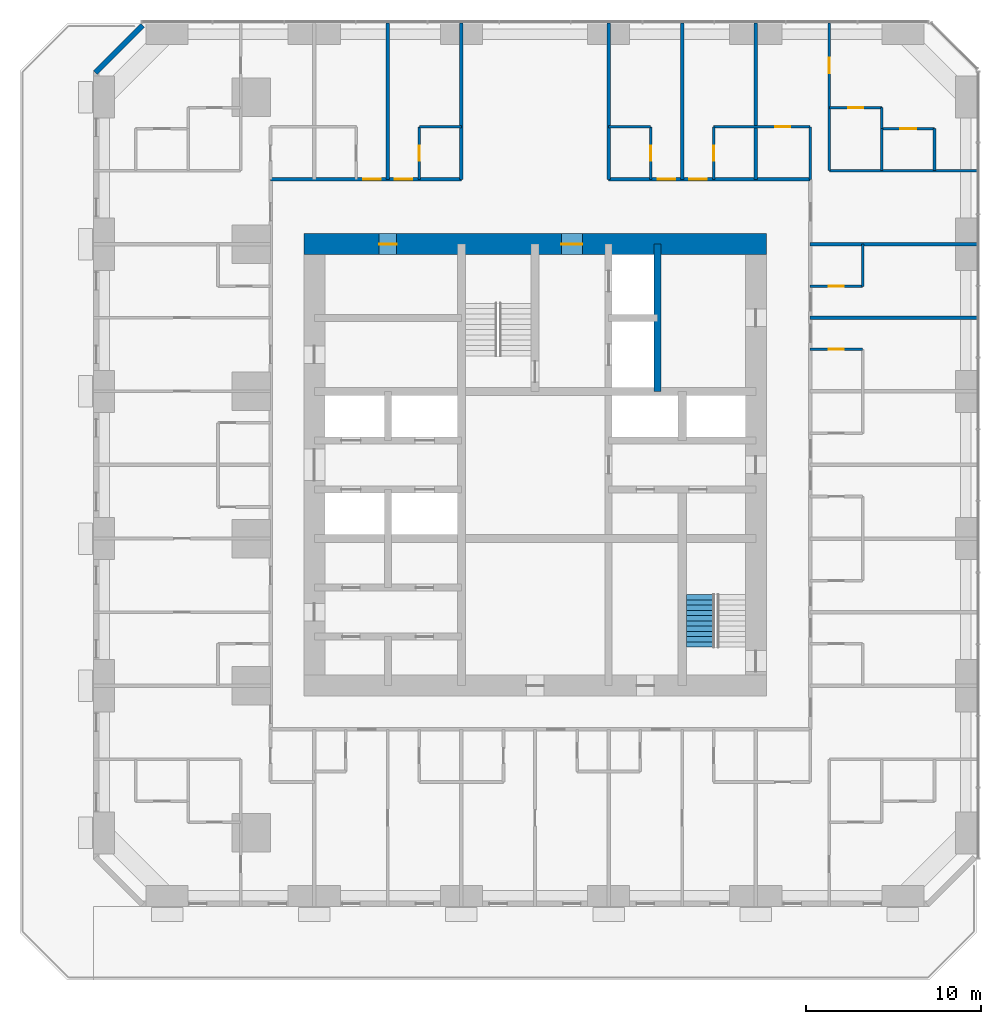
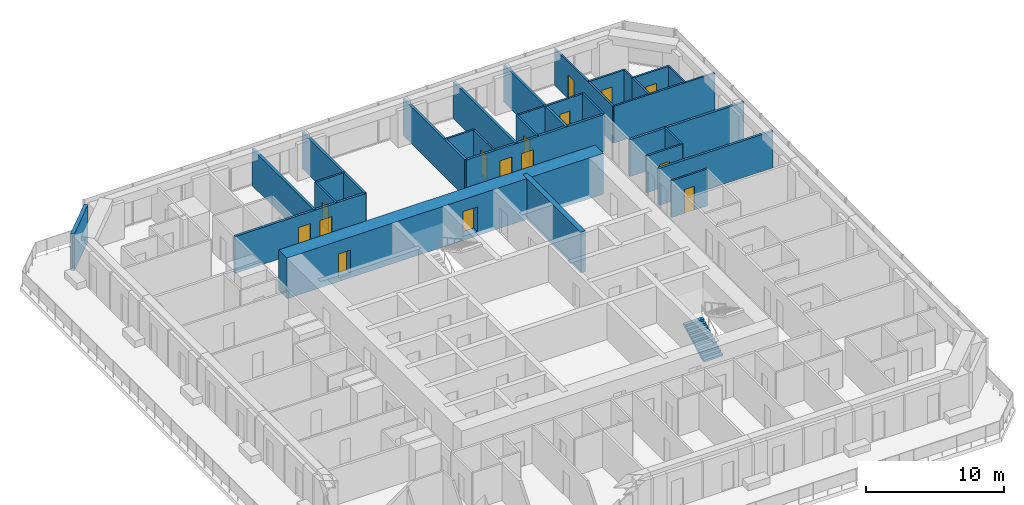
# One storey, part 11 of 14: 29 walls, 15 doors, 1 stair flight, 15 openings, 1 element without a shape of its own.
"""IFC4 building model written with IfcOpenShell, lengths in metres."""

import ifcopenshell
import ifcopenshell.guid

model = None  # the IFC model being written
_history = None  # IfcOwnerHistory: only IFC2X3 demands one
_inside = {}  # id of a spatial element -> (the spatial element, [elements in it])
_under = {}  # id of a project, library or spatial element -> (it, [spatial elements below it])
_declared = {}  # id of a project -> (the project, [libraries it declares])
_typed = {}  # id of a type object -> (the type object, [elements of that type])
_made_of = {}  # id of a material, layer set ... -> (it, [elements and type objects made of it])


def new_model(schema):
    """Start an empty IFC model of exactly this schema.

    Asked for "IFC4X3", IfcOpenShell would pick the latest addendum, in which some entities
    have other attributes; the version numbers below select the first issue.
    IFC2X3 requires an IfcOwnerHistory on every rooted entity: one is made here for all.
    """
    global model, _history
    if schema == "IFC4X3":
        model = ifcopenshell.file(schema_version=(4, 3, 0, 0))
    else:
        model = ifcopenshell.file(schema=schema)
    _inside.clear()
    _under.clear()
    _declared.clear()
    _typed.clear()
    _made_of.clear()
    _history = None
    if model.schema == "IFC2X3":
        org = make("IfcOrganization", Name="unknown")
        user = make(
            "IfcPersonAndOrganization",
            ThePerson=make("IfcPerson", FamilyName="unknown"),
            TheOrganization=org,
        )
        app = make(
            "IfcApplication",
            ApplicationDeveloper=org,
            Version="unknown",
            ApplicationFullName="unknown",
            ApplicationIdentifier="unknown",
        )
        _history = make(
            "IfcOwnerHistory",
            OwningUser=user,
            OwningApplication=app,
            ChangeAction="ADDED",
            CreationDate=0,
        )
    return model


def make(cls, **values):
    """One entity of the class cls with the attributes given. An attribute that is None is left unset."""
    return model.create_entity(
        cls, **{name: value for name, value in values.items() if value is not None}
    )


def rooted(cls, **values):
    """An entity with a GlobalId (a new one), such as an element, a storey or a relation."""
    return make(cls, GlobalId=ifcopenshell.guid.new(), OwnerHistory=_history, **values)


def si_unit(unit_type, name, prefix=None):
    """IfcSIUnit, for example si_unit("LENGTHUNIT", "METRE", prefix="MILLI")."""
    return make("IfcSIUnit", UnitType=unit_type, Prefix=prefix, Name=name)


def assignment(units):
    """IfcUnitAssignment: the units of a project."""
    return None if units is None else make("IfcUnitAssignment", Units=units)


def point(xyz):
    """IfcCartesianPoint."""
    return None if xyz is None else make("IfcCartesianPoint", Coordinates=xyz)


def direction(xyz):
    """IfcDirection."""
    return None if xyz is None else make("IfcDirection", DirectionRatios=xyz)


def frame(location, z_axis=None, x_axis=None):
    """IfcAxis2Placement3D, a coordinate frame: its origin and axes. An axis left out is left unset."""
    return make(
        "IfcAxis2Placement3D",
        Location=point(location),
        Axis=direction(z_axis),
        RefDirection=direction(x_axis),
    )


def frame_2d(location, x_axis=None):
    """IfcAxis2Placement2D, a coordinate frame in the plane: its origin and x axis."""
    return make(
        "IfcAxis2Placement2D", Location=point(location), RefDirection=direction(x_axis)
    )


def origin():
    """The frame at (0, 0, 0) with its axes left unset."""
    return frame((0.0, 0.0, 0.0))


def place(relative_to, where):
    """IfcLocalPlacement: puts the frame where relative to a parent placement (None: the world)."""
    return make(
        "IfcLocalPlacement", PlacementRelTo=relative_to, RelativePlacement=where
    )


def context(
    kind, dimensions, precision=None, world=None, true_north=None, identifier=None
):
    """IfcGeometricRepresentationContext, for example the 3D "Model" context."""
    return make(
        "IfcGeometricRepresentationContext",
        ContextIdentifier=identifier,
        ContextType=kind,
        CoordinateSpaceDimension=dimensions,
        Precision=precision,
        WorldCoordinateSystem=world,
        TrueNorth=true_north,
    )


def subcontext(parent, identifier, kind, view, scale=None):
    """IfcGeometricRepresentationSubContext, for example "Body" below "Model"."""
    return make(
        "IfcGeometricRepresentationSubContext",
        ContextIdentifier=identifier,
        ContextType=kind,
        ParentContext=parent,
        TargetScale=scale,
        TargetView=view,
    )


def project(units=None, contexts=None):
    """IfcProject with its units and contexts."""
    return rooted(
        "IfcProject",
        Name="project",
        RepresentationContexts=contexts,
        UnitsInContext=assignment(units),
    )


def spatial(cls, under=None, at=None, **own):
    """A site, building, storey or space (cls), placed at a placement, below another one or the project."""
    s = rooted(cls, ObjectPlacement=at, **own)
    if under is not None:
        _under.setdefault(under.id(), (under, []))[1].append(s)
    return s


def polyline(points):
    """IfcPolyline through the points."""
    return make("IfcPolyline", Points=[point(p) for p in points])


def profile(cls, at=None, kind="AREA", **sizes):
    """A parametric profile (cls). Its sizes go by their IFC names, for example OverallWidth=200.0."""
    return make(cls, ProfileType=kind, Position=at, **sizes)


def rectangle(**sizes):
    """IfcRectangleProfileDef."""
    return profile("IfcRectangleProfileDef", **sizes)


def outline(outer, holes=None, kind="AREA"):
    """IfcArbitraryClosedProfileDef: a profile drawn as a closed curve; with holes, ...WithVoids."""
    if holes is None:
        return make("IfcArbitraryClosedProfileDef", ProfileType=kind, OuterCurve=outer)
    return make(
        "IfcArbitraryProfileDefWithVoids",
        ProfileType=kind,
        OuterCurve=outer,
        InnerCurves=holes,
    )


def extrude(swept, where, along, depth):
    """IfcExtrudedAreaSolid: the profile swept, set in the frame where, extruded along a direction by depth."""
    return make(
        "IfcExtrudedAreaSolid",
        SweptArea=swept,
        Position=where,
        ExtrudedDirection=direction(along),
        Depth=depth,
    )


def shape(context_of_items, identifier, shape_type, items):
    """IfcShapeRepresentation: the items that make up one representation, for example the "Body"."""
    return make(
        "IfcShapeRepresentation",
        ContextOfItems=context_of_items,
        RepresentationIdentifier=identifier,
        RepresentationType=shape_type,
        Items=items,
    )


def material(Name=None, Category=None):
    """IfcMaterial."""
    return make("IfcMaterial", Name=Name, Category=Category)


def layer(
    of_material, thickness, ventilated=None, Name=None, Category=None, Priority=None
):
    """IfcMaterialLayer: one layer of a wall or slab, of a material (None: an air gap)."""
    return make(
        "IfcMaterialLayer",
        Material=of_material,
        LayerThickness=thickness,
        IsVentilated=ventilated,
        Name=Name,
        Category=Category,
        Priority=Priority,
    )


def layer_set(layers, Name=None):
    """IfcMaterialLayerSet."""
    return make("IfcMaterialLayerSet", MaterialLayers=layers, LayerSetName=Name)


def made_of(thing, what):
    """Note that an element or type object is made of a material, layer set ...; save() writes the relation."""
    if what is not None:
        _made_of.setdefault(what.id(), (what, []))[1].append(thing)
    return thing


def type_object(cls, material=None, **own):
    """A type object (cls), such as IfcWallType, which elements share."""
    return made_of(rooted(cls, **own), material)


def element(
    cls,
    number,
    at=None,
    inside=None,
    cuts=None,
    type_object=None,
    material=None,
    context=None,
    identifier="Body",
    shape_type=None,
    held_by="IfcProductDefinitionShape",
    body=None,
    shapes=None,
    **own,
):
    """One element of the class cls, such as IfcWall. Its Tag is "e" and its number.

    at: its placement. inside: the storey or other place that contains it. cuts: it is an
    opening in that element (IfcRelVoidsElement). A single representation is given by context,
    identifier, shape_type and body (its items); several are given by shapes. held_by: the class
    of the entity that holds the representations. save() writes the other relations.
    """
    e = rooted(cls, Tag="e%d" % number, ObjectPlacement=at, **own)
    if body is not None:
        shapes = [shape(context, identifier, shape_type, body)]
    if shapes is not None:
        e.Representation = make(held_by, Representations=shapes)
    if inside is not None:
        _inside.setdefault(inside.id(), (inside, []))[1].append(e)
    if cuts is not None:
        rooted(
            "IfcRelVoidsElement", RelatingBuildingElement=cuts, RelatedOpeningElement=e
        )
    if type_object is not None:
        _typed.setdefault(type_object.id(), (type_object, []))[1].append(e)
    return made_of(e, material)


def fill(opening, filler):
    """IfcRelFillsElement: the door or window that sits in an opening."""
    return rooted(
        "IfcRelFillsElement",
        RelatingOpeningElement=opening,
        RelatedBuildingElement=filler,
    )


def aggregate(whole, parts):
    """IfcRelAggregates: a whole, such as a stair, and the parts it consists of."""
    return rooted("IfcRelAggregates", RelatingObject=whole, RelatedObjects=parts)


def save(model, path):
    """Write the relations noted so far, then the file.

    IfcRelAggregates (storeys below a building ...), IfcRelContainedInSpatialStructure (elements
    in a storey), IfcRelDefinesByType, IfcRelAssociatesMaterial and IfcRelDeclares: one each for
    every whole, place, type object, material and project.
    """
    for whole, parts in _under.values():
        aggregate(whole, parts)
    for where, things in _inside.values():
        rooted(
            "IfcRelContainedInSpatialStructure",
            RelatedElements=things,
            RelatingStructure=where,
        )
    for kind, things in _typed.values():
        rooted("IfcRelDefinesByType", RelatedObjects=things, RelatingType=kind)
    for what, things in _made_of.values():
        rooted("IfcRelAssociatesMaterial", RelatedObjects=things, RelatingMaterial=what)
    for by, libraries in _declared.values():
        rooted("IfcRelDeclares", RelatingContext=by, RelatedDefinitions=libraries)
    model.write(path)


model = new_model("IFC4")

# Units and contexts
model_context = context("Model", 3, precision=1e-05, world=origin(), true_north=direction((0.0, 1.0)))
body_context = subcontext(model_context, "Body", "Model", "MODEL_VIEW")
ifc_project = project(units=[si_unit("LENGTHUNIT", "METRE"), si_unit("AREAUNIT", "SQUARE_METRE"), si_unit("VOLUMEUNIT", "CUBIC_METRE"), si_unit("PLANEANGLEUNIT", "RADIAN"), si_unit("MASSUNIT", "GRAM", prefix="KILO")], contexts=[model_context])

# Site, building, storey
site_placement = place(None, origin())
site = spatial("IfcSite", under=ifc_project, at=site_placement, CompositionType="ELEMENT")
building_placement = place(site_placement, origin())
building = spatial("IfcBuilding", under=site, at=building_placement, Name="Dunama Terrace Hotel", CompositionType="ELEMENT")
storey_placement = place(building_placement, frame((0.0, 0.0, 159.0)))
storey = spatial("IfcBuildingStorey", under=building, at=storey_placement, Name="L40", CompositionType="ELEMENT", Elevation=159.0)

# Wall, opening, door
ifc_material_1 = material(Name="Gypsum board partition", Category="masonry")
ifc_layer_1 = layer(ifc_material_1, 0.14990234375)
ifc_layer_set_1 = layer_set([ifc_layer_1], Name="Bathroom partition 150")
wall_type_1 = type_object("IfcWallType", Name="Bathroom partition 150", PredefinedType="PARTITIONING", material=ifc_layer_set_1)
wall_1_placement = place(storey_placement, frame((22.800048828125, 45.699951171875, 0.0), z_axis=(0.0, 0.0, 1.0), x_axis=(0.0, 1.0, 0.0)))
wall_1 = element("IfcWall", 1, at=wall_1_placement, inside=storey, type_object=wall_type_1, Name="Bathroom partition 150 L40", PredefinedType="PARTITIONING", context=body_context, shape_type="SweptSolid", body=[
    extrude(rectangle(XDim=3.0, YDim=0.14990234375, at=frame_2d((1.5, 0.0))), origin(), (0.0, 0.0, 1.0), 3.25),
])
opening_1_placement = place(wall_1_placement, frame((1.074951171875, 0.0, 0.0)))
opening_1 = element("IfcOpeningElement", 2, at=opening_1_placement, cuts=wall_1, Name="Opening L40-056", PredefinedType="OPENING", context=body_context, shape_type="SweptSolid", body=[
    extrude(rectangle(XDim=0.85009765625, YDim=2.10009765625, at=frame_2d((0.425048828125, 1.050048828125))), frame((0.0, 0.0849609375, 0.0), z_axis=(0.0, -1.0, 0.0), x_axis=(1.0, 0.0, 0.0)), (0.0, 0.0, 1.0), 0.169921875),
])
ifc_material_2 = material(Name="Timber door with steel frame", Category="steel")
door_type_1 = type_object("IfcDoorType", Name="Bathroom door 850", OperationType="SINGLE_SWING_LEFT", PredefinedType="DOOR", material=ifc_material_2)
door_1_placement = place(opening_1_placement, frame((0.85009765625, 0.0, 0.0), z_axis=(0.0, 0.0, 1.0), x_axis=(-1.0, 0.0, 0.0)))
door_1 = element("IfcDoor", 3, at=door_1_placement, inside=storey, type_object=door_type_1, Name="Door to en-suite bathroom L40-056, type D2", OperationType="SINGLE_SWING_RIGHT", OverallHeight=2.10009765625, OverallWidth=0.85009765625, PredefinedType="DOOR", context=body_context, shape_type="SweptSolid", body=[
    extrude(rectangle(XDim=0.85009765625, YDim=2.10009765625, at=frame_2d((0.425048828125, 1.050048828125))), frame((0.0, 0.025146484375, 0.0), z_axis=(0.0, -1.0, 0.0), x_axis=(1.0, 0.0, 0.0)), (0.0, 0.0, 1.0), 0.050048828125),
])
fill(opening_1, door_1)

wall_2_placement = place(storey_placement, frame((36.0, 45.699951171875, 0.0), z_axis=(0.0, 0.0, 1.0), x_axis=(0.0, 1.0, 0.0)))
wall_2 = element("IfcWall", 4, at=wall_2_placement, inside=storey, type_object=wall_type_1, Name="Bathroom partition 150 L40", PredefinedType="PARTITIONING", context=body_context, shape_type="SweptSolid", body=[
    extrude(rectangle(XDim=3.0, YDim=0.14990234375, at=frame_2d((1.5, 0.0))), origin(), (0.0, 0.0, 1.0), 3.25),
])
opening_2_placement = place(wall_2_placement, frame((1.074951171875, 0.0, 0.0)))
opening_2 = element("IfcOpeningElement", 5, at=opening_2_placement, cuts=wall_2, Name="Opening L40-058", PredefinedType="OPENING", context=body_context, shape_type="SweptSolid", body=[
    extrude(rectangle(XDim=0.85009765625, YDim=2.10009765625, at=frame_2d((0.425048828125, 1.050048828125))), frame((0.0, 0.0849609375, 0.0), z_axis=(0.0, -1.0, 0.0), x_axis=(1.0, 0.0, 0.0)), (0.0, 0.0, 1.0), 0.169921875),
])
door_2_placement = place(opening_2_placement, origin())
door_2 = element("IfcDoor", 6, at=door_2_placement, inside=storey, type_object=door_type_1, Name="Door to en-suite bathroom L40-058, type D2", OperationType="SINGLE_SWING_LEFT", OverallHeight=2.10009765625, OverallWidth=0.85009765625, PredefinedType="DOOR", context=body_context, shape_type="SweptSolid", body=[
    extrude(rectangle(XDim=0.85009765625, YDim=2.10009765625, at=frame_2d((0.425048828125, 1.050048828125))), frame((0.0, 0.02490234375, 0.0), z_axis=(0.0, -1.0, 0.0), x_axis=(1.0, 0.0, 0.0)), (0.0, 0.0, 1.0), 0.050048828125),
])
fill(opening_2, door_2)

wall_3_placement = place(storey_placement, frame((39.60009765625, 45.699951171875, 0.0), z_axis=(0.0, 0.0, 1.0), x_axis=(0.0, 1.0, 0.0)))
wall_3 = element("IfcWall", 7, at=wall_3_placement, inside=storey, type_object=wall_type_1, Name="Bathroom partition 150 L40", PredefinedType="PARTITIONING", context=body_context, shape_type="SweptSolid", body=[
    extrude(rectangle(XDim=3.0, YDim=0.14990234375, at=frame_2d((1.5, 0.0))), origin(), (0.0, 0.0, 1.0), 3.25),
])
opening_3_placement = place(wall_3_placement, frame((1.074951171875, 0.0, 0.0)))
opening_3 = element("IfcOpeningElement", 8, at=opening_3_placement, cuts=wall_3, Name="Opening L40-060", PredefinedType="OPENING", context=body_context, shape_type="SweptSolid", body=[
    extrude(rectangle(XDim=0.85009765625, YDim=2.10009765625, at=frame_2d((0.425048828125, 1.050048828125))), frame((0.0, 0.0849609375, 0.0), z_axis=(0.0, -1.0, 0.0), x_axis=(1.0, 0.0, 0.0)), (0.0, 0.0, 1.0), 0.169921875),
])
door_3_placement = place(opening_3_placement, frame((0.85009765625, 0.0, 0.0), z_axis=(0.0, 0.0, 1.0), x_axis=(-1.0, 0.0, 0.0)))
door_3 = element("IfcDoor", 9, at=door_3_placement, inside=storey, type_object=door_type_1, Name="Door to en-suite bathroom L40-060, type D2", OperationType="SINGLE_SWING_RIGHT", OverallHeight=2.10009765625, OverallWidth=0.85009765625, PredefinedType="DOOR", context=body_context, shape_type="SweptSolid", body=[
    extrude(rectangle(XDim=0.85009765625, YDim=2.10009765625, at=frame_2d((0.425048828125, 1.050048828125))), frame((0.0, 0.025146484375, 0.0), z_axis=(0.0, -1.0, 0.0), x_axis=(1.0, 0.0, 0.0)), (0.0, 0.0, 1.0), 0.050048828125),
])
fill(opening_3, door_3)

# Walls
wall_4_placement = place(storey_placement, frame((45.10009765625, 45.699951171875, 0.0), z_axis=(0.0, 0.0, 1.0), x_axis=(0.0, 1.0, 0.0)))
element("IfcWall", 10, at=wall_4_placement, inside=storey, type_object=wall_type_1, Name="Bathroom partition 150 L40", PredefinedType="PARTITIONING", context=body_context, shape_type="SweptSolid", body=[
    extrude(rectangle(XDim=3.0, YDim=0.14990234375, at=frame_2d((1.5, 0.0))), origin(), (0.0, 0.0, 1.0), 3.25),
])
wall_5_placement = place(storey_placement, frame((48.10009765625, 39.60009765625, 0.0), z_axis=(0.0, 0.0, 1.0), x_axis=(0.0, 1.0, 0.0)))
element("IfcWall", 11, at=wall_5_placement, inside=storey, type_object=wall_type_1, Name="Bathroom partition 150 L40", PredefinedType="PARTITIONING", context=body_context, shape_type="SweptSolid", body=[
    extrude(rectangle(XDim=2.39990234375, YDim=0.14990234375, at=frame_2d((1.199951171875, 0.0))), origin(), (0.0, 0.0, 1.0), 3.25),
])
wall_6_placement = place(storey_placement, frame((49.199951171875, 48.60009765625, 0.0), z_axis=(0.0, 0.0, 1.0), x_axis=(0.0, 1.0, 0.0)))
element("IfcWall", 12, at=wall_6_placement, inside=storey, type_object=wall_type_1, Name="Bathroom partition 150 L40", PredefinedType="PARTITIONING", context=body_context, shape_type="SweptSolid", body=[
    extrude(rectangle(XDim=1.199951171875, YDim=0.14990234375, at=frame_2d((0.60009765625, 0.0))), origin(), (0.0, 0.0, 1.0), 3.25),
])

# Wall, opening, door
wall_7_placement = place(storey_placement, frame((45.10009765625, 36.0, 0.0), z_axis=(0.0, 0.0, 1.0), x_axis=(1.0, 0.0, 0.0)))
wall_7 = element("IfcWall", 13, at=wall_7_placement, inside=storey, type_object=wall_type_1, Name="Bathroom partition 150 L40", PredefinedType="PARTITIONING", context=body_context, shape_type="SweptSolid", body=[
    extrude(rectangle(XDim=3.0, YDim=0.14990234375, at=frame_2d((1.5, 0.0))), origin(), (0.0, 0.0, 1.0), 3.25),
])
opening_4_placement = place(wall_7_placement, frame((1.074951171875, 0.0, 0.0)))
opening_4 = element("IfcOpeningElement", 14, at=opening_4_placement, cuts=wall_7, Name="Opening L40-050", PredefinedType="OPENING", context=body_context, shape_type="SweptSolid", body=[
    extrude(rectangle(XDim=0.85009765625, YDim=2.10009765625, at=frame_2d((0.425048828125, 1.050048828125))), frame((0.0, 0.0849609375, 0.0), z_axis=(0.0, -1.0, 0.0), x_axis=(1.0, 0.0, 0.0)), (0.0, 0.0, 1.0), 0.169921875),
])
door_4_placement = place(opening_4_placement, frame((0.85009765625, 0.0, 0.0), z_axis=(0.0, 0.0, 1.0), x_axis=(-1.0, 0.0, 0.0)))
door_4 = element("IfcDoor", 15, at=door_4_placement, inside=storey, type_object=door_type_1, Name="Door to en-suite bathroom L40-050, type D2", OperationType="SINGLE_SWING_RIGHT", OverallHeight=2.10009765625, OverallWidth=0.85009765625, PredefinedType="DOOR", context=body_context, shape_type="SweptSolid", body=[
    extrude(rectangle(XDim=0.85009765625, YDim=2.10009765625, at=frame_2d((0.425048828125, 1.050048828125))), frame((0.0, 0.025146484375, 0.0), z_axis=(0.0, -1.0, 0.0), x_axis=(1.0, 0.0, 0.0)), (0.0, 0.0, 1.0), 0.050048828125),
])
fill(opening_4, door_4)

wall_8_placement = place(storey_placement, frame((45.10009765625, 39.60009765625, 0.0), z_axis=(0.0, 0.0, 1.0), x_axis=(1.0, 0.0, 0.0)))
wall_8 = element("IfcWall", 16, at=wall_8_placement, inside=storey, type_object=wall_type_1, Name="Bathroom partition 150 L40", PredefinedType="PARTITIONING", context=body_context, shape_type="SweptSolid", body=[
    extrude(rectangle(XDim=3.0, YDim=0.14990234375, at=frame_2d((1.5, 0.0))), origin(), (0.0, 0.0, 1.0), 3.25),
])
opening_5_placement = place(wall_8_placement, frame((1.074951171875, 0.0, 0.0)))
opening_5 = element("IfcOpeningElement", 17, at=opening_5_placement, cuts=wall_8, Name="Opening L40-052", PredefinedType="OPENING", context=body_context, shape_type="SweptSolid", body=[
    extrude(rectangle(XDim=0.85009765625, YDim=2.10009765625, at=frame_2d((0.425048828125, 1.050048828125))), frame((0.0, 0.0849609375, 0.0), z_axis=(0.0, -1.0, 0.0), x_axis=(1.0, 0.0, 0.0)), (0.0, 0.0, 1.0), 0.169921875),
])
door_5_placement = place(opening_5_placement, origin())
door_5 = element("IfcDoor", 18, at=door_5_placement, inside=storey, type_object=door_type_1, Name="Door to en-suite bathroom L40-052, type D2", OperationType="SINGLE_SWING_LEFT", OverallHeight=2.10009765625, OverallWidth=0.85009765625, PredefinedType="DOOR", context=body_context, shape_type="SweptSolid", body=[
    extrude(rectangle(XDim=0.85009765625, YDim=2.10009765625, at=frame_2d((0.425048828125, 1.050048828125))), frame((0.0, 0.02490234375, 0.0), z_axis=(0.0, -1.0, 0.0), x_axis=(1.0, 0.0, 0.0)), (0.0, 0.0, 1.0), 0.050048828125),
])
fill(opening_5, door_5)

# Walls
for number, where, z_axis, x_axis, name in (
    (19, (22.800048828125, 48.699951171875, 0.0), (0.0, 0.0, 1.0), (1.0, 0.0, 0.0), "Bathroom partition 150 L40"),
    (20, (33.60009765625, 48.699951171875, 0.0), (0.0, 0.0, 1.0), (1.0, 0.0, 0.0), "Bathroom partition 150 L40"),
):
    element("IfcWall", number, at=place(storey_placement, frame(where, z_axis=z_axis, x_axis=x_axis)), inside=storey, type_object=wall_type_1, Name=name, PredefinedType="PARTITIONING", context=body_context, shape_type="SweptSolid", body=[
        extrude(rectangle(XDim=2.39990234375, YDim=0.14990234375, at=frame_2d((1.199951171875, 0.0))), origin(), (0.0, 0.0, 1.0), 3.25),
    ])

# Wall, opening, door
wall_9_placement = place(storey_placement, frame((39.60009765625, 48.699951171875, 0.0), z_axis=(0.0, 0.0, 1.0), x_axis=(1.0, 0.0, 0.0)))
wall_9 = element("IfcWall", 21, at=wall_9_placement, inside=storey, type_object=wall_type_1, Name="Bathroom partition 150 L40", PredefinedType="PARTITIONING", context=body_context, shape_type="SweptSolid", body=[
    extrude(rectangle(XDim=5.5, YDim=0.14990234375, at=frame_2d((2.75, 0.0))), origin(), (0.0, 0.0, 1.0), 3.25),
])
opening_6_placement = place(wall_9_placement, frame((3.52490234375, 0.0, 0.0)))
opening_6 = element("IfcOpeningElement", 22, at=opening_6_placement, cuts=wall_9, Name="Opening L40-082", PredefinedType="OPENING", context=body_context, shape_type="SweptSolid", body=[
    extrude(rectangle(XDim=0.85009765625, YDim=2.10009765625, at=frame_2d((0.425048828125, 1.050048828125))), frame((0.0, 0.0849609375, 0.0), z_axis=(0.0, -1.0, 0.0), x_axis=(1.0, 0.0, 0.0)), (0.0, 0.0, 1.0), 0.169921875),
])
door_6_placement = place(opening_6_placement, frame((0.85009765625, 0.0, 0.0), z_axis=(0.0, 0.0, 1.0), x_axis=(-1.0, 0.0, 0.0)))
door_6 = element("IfcDoor", 23, at=door_6_placement, inside=storey, type_object=door_type_1, Name="Door to powder room L40-082, type D2", OperationType="SINGLE_SWING_RIGHT", OverallHeight=2.10009765625, OverallWidth=0.85009765625, PredefinedType="DOOR", context=body_context, shape_type="SweptSolid", body=[
    extrude(rectangle(XDim=0.85009765625, YDim=2.10009765625, at=frame_2d((0.425048828125, 1.050048828125))), frame((0.0, 0.025146484375, 0.0), z_axis=(0.0, -1.0, 0.0), x_axis=(1.0, 0.0, 0.0)), (0.0, 0.0, 1.0), 0.050048828125),
])
fill(opening_6, door_6)

wall_10_placement = place(storey_placement, frame((46.199951171875, 49.800048828125, 0.0), z_axis=(0.0, 0.0, 1.0), x_axis=(1.0, 0.0, 0.0)))
wall_10 = element("IfcWall", 24, at=wall_10_placement, inside=storey, type_object=wall_type_1, Name="Bathroom partition 150 L40", PredefinedType="PARTITIONING", context=body_context, shape_type="SweptSolid", body=[
    extrude(rectangle(XDim=3.0, YDim=0.14990234375, at=frame_2d((1.5, 0.0))), origin(), (0.0, 0.0, 1.0), 3.25),
])
opening_7_placement = place(wall_10_placement, frame((1.074951171875, 0.0, 0.0)))
opening_7 = element("IfcOpeningElement", 25, at=opening_7_placement, cuts=wall_10, Name="Opening L40-084", PredefinedType="OPENING", context=body_context, shape_type="SweptSolid", body=[
    extrude(rectangle(XDim=0.85009765625, YDim=2.10009765625, at=frame_2d((0.425048828125, 1.050048828125))), frame((0.0, 0.0849609375, 0.0), z_axis=(0.0, -1.0, 0.0), x_axis=(1.0, 0.0, 0.0)), (0.0, 0.0, 1.0), 0.169921875),
])
door_7_placement = place(opening_7_placement, frame((0.85009765625, 0.0, 0.0), z_axis=(0.0, 0.0, 1.0), x_axis=(-1.0, 0.0, 0.0)))
door_7 = element("IfcDoor", 26, at=door_7_placement, inside=storey, type_object=door_type_1, Name="Door to en-suite bathroom L40-084, type D2", OperationType="SINGLE_SWING_LEFT", OverallHeight=2.10009765625, OverallWidth=0.85009765625, PredefinedType="DOOR", context=body_context, shape_type="SweptSolid", body=[
    extrude(rectangle(XDim=0.85009765625, YDim=2.10009765625, at=frame_2d((0.425048828125, 1.050048828125))), frame((0.0, 0.025146484375, 0.0), z_axis=(0.0, -1.0, 0.0), x_axis=(1.0, 0.0, 0.0)), (0.0, 0.0, 1.0), 0.050048828125),
])
fill(opening_7, door_7)

# Wall
ifc_material_3 = material(Name="Concrete C50/60", Category="concrete")
ifc_layer_2 = layer(ifc_material_3, 0.39990234375)
ifc_layer_set_2 = layer_set([ifc_layer_2], Name="Core inner wall 400")
wall_type_2 = type_object("IfcWallType", Name="Core inner wall 400", PredefinedType="SHEAR", material=ifc_layer_set_2)
wall_11_placement = place(storey_placement, frame((36.39990234375, 33.60009765625, -0.35009765625), z_axis=(0.0, 0.0, 1.0), x_axis=(0.0, 1.0, 0.0)))
element("IfcWall", 27, at=wall_11_placement, inside=storey, type_object=wall_type_2, Name="Core inner wall 400 L40", PredefinedType="SHEAR", context=body_context, shape_type="SweptSolid", body=[
    extrude(rectangle(XDim=8.39990234375, YDim=0.39990234375, at=frame_2d((4.199951171875, 0.0))), origin(), (0.0, 0.0, 1.0), 3.60009765625),
])

# Wall, openings, doors
ifc_material_4 = material(Name="Concrete C60/75", Category="concrete")
ifc_layer_3 = layer(ifc_material_4, 1.199951171875)
ifc_layer_set_3 = layer_set([ifc_layer_3], Name="Core wall 1200")
wall_type_3 = type_object("IfcWallType", Name="Core wall 1200", PredefinedType="SHEAR", material=ifc_layer_set_3)
wall_12_placement = place(storey_placement, frame((42.60009765625, 42.0, -0.35009765625), z_axis=(0.0, 0.0, 1.0), x_axis=(-1.0, 0.0, 0.0)))
wall_12 = element("IfcWall", 28, at=wall_12_placement, inside=storey, type_object=wall_type_3, Name="Core wall north L40", PredefinedType="SHEAR", context=body_context, shape_type="SweptSolid", body=[
    extrude(rectangle(XDim=26.400146484375, YDim=1.199951171875, at=frame_2d((13.2001953125, 0.0))), origin(), (0.0, 0.0, 1.0), 3.60009765625),
])
opening_8_placement = place(wall_12_placement, frame((21.10009765625, 0.0, 0.35009765625)))
opening_8 = element("IfcOpeningElement", 29, at=opening_8_placement, cuts=wall_12, Name="Opening L40-098", PredefinedType="OPENING", context=body_context, shape_type="SweptSolid", body=[
    extrude(rectangle(XDim=1.0, YDim=2.10009765625, at=frame_2d((0.5, 1.050048828125))), frame((0.0, 0.60986328125, 0.0), z_axis=(0.0, -1.0, 0.0), x_axis=(1.0, 0.0, 0.0)), (0.0, 0.0, 1.0), 1.219970703125),
])
opening_9_placement = place(wall_12_placement, frame((10.5, 0.0, 0.35009765625)))
opening_9 = element("IfcOpeningElement", 30, at=opening_9_placement, cuts=wall_12, Name="Opening L40-103", PredefinedType="OPENING", context=body_context, shape_type="SweptSolid", body=[
    extrude(rectangle(XDim=1.199951171875, YDim=2.199951171875, at=frame_2d((0.60009765625, 1.10009765625))), frame((0.0, 0.60986328125, 0.0), z_axis=(0.0, -1.0, 0.0), x_axis=(1.0, 0.0, 0.0)), (0.0, 0.0, 1.0), 1.219970703125),
])
ifc_material_5 = material(Name="Timber door with steel frame", Category="steel")
door_type_2 = type_object("IfcDoorType", Name="Firefighting lobby door 1200", OperationType="SINGLE_SWING_LEFT", PredefinedType="DOOR", material=ifc_material_5)
door_8_placement = place(opening_9_placement, origin())
door_8 = element("IfcDoor", 31, at=door_8_placement, inside=storey, type_object=door_type_2, Name="Door to firefighting lobby L40-103, type D4", OperationType="SINGLE_SWING_RIGHT", OverallHeight=2.199951171875, OverallWidth=1.199951171875, PredefinedType="DOOR", context=body_context, shape_type="SweptSolid", body=[
    extrude(rectangle(XDim=1.199951171875, YDim=2.199951171875, at=frame_2d((0.60009765625, 1.10009765625))), frame((0.0, 0.02490234375, 0.0), z_axis=(0.0, -1.0, 0.0), x_axis=(1.0, 0.0, 0.0)), (0.0, 0.0, 1.0), 0.050048828125),
])
fill(opening_9, door_8)
ifc_material_6 = material(Name="Timber door with steel frame", Category="steel")
door_type_3 = type_object("IfcDoorType", Name="Service door 1000", OperationType="SINGLE_SWING_LEFT", PredefinedType="DOOR", material=ifc_material_6)
door_9_placement = place(opening_8_placement, origin())
door_9 = element("IfcDoor", 32, at=door_9_placement, inside=storey, type_object=door_type_3, Name="Door to communications and riser room L40-098, type D7", OperationType="SINGLE_SWING_LEFT", OverallHeight=2.10009765625, OverallWidth=1.0, PredefinedType="DOOR", context=body_context, shape_type="SweptSolid", body=[
    extrude(rectangle(XDim=1.0, YDim=2.10009765625, at=frame_2d((0.5, 1.050048828125))), frame((0.0, 0.02490234375, 0.0), z_axis=(0.0, -1.0, 0.0), x_axis=(1.0, 0.0, 0.0)), (0.0, 0.0, 1.0), 0.050048828125),
])
fill(opening_8, door_9)

# Wall
ifc_material_7 = material(Name="Concrete blockwork", Category="masonry")
ifc_layer_4 = layer(ifc_material_7, 0.199951171875)
ifc_layer_set_4 = layer_set([ifc_layer_4], Name="Corridor partition 200")
wall_type_4 = type_object("IfcWallType", Name="Corridor partition 200", PredefinedType="PARTITIONING", material=ifc_layer_set_4)
wall_13_placement = place(storey_placement, frame((25.199951171875, 45.699951171875, 0.0), z_axis=(0.0, 0.0, 1.0), x_axis=(0.0, 1.0, 0.0)))
element("IfcWall", 33, at=wall_13_placement, inside=storey, type_object=wall_type_4, Name="Corridor partition 200 L40", PredefinedType="PARTITIONING", context=body_context, shape_type="SweptSolid", body=[
    extrude(rectangle(XDim=8.91796875, YDim=0.199951171875, at=frame_2d((4.458984375, 0.0))), origin(), (0.0, 0.0, 1.0), 3.25),
])

# Wall, openings, doors
wall_14_placement = place(storey_placement, frame((14.300048828125, 45.699951171875, 0.0), z_axis=(0.0, 0.0, 1.0), x_axis=(1.0, 0.0, 0.0)))
wall_14 = element("IfcWall", 34, at=wall_14_placement, inside=storey, type_object=wall_type_4, Name="Corridor partition 200 L40", PredefinedType="PARTITIONING", context=body_context, shape_type="SweptSolid", body=[
    extrude(rectangle(XDim=10.89990234375, YDim=0.199951171875, at=frame_2d((5.449951171875, 0.0))), origin(), (0.0, 0.0, 1.0), 3.25),
])
opening_10_placement = place(wall_14_placement, frame((5.300048828125, 0.0, 0.0)))
opening_10 = element("IfcOpeningElement", 35, at=opening_10_placement, cuts=wall_14, Name="Opening L40-053", PredefinedType="OPENING", context=body_context, shape_type="SweptSolid", body=[
    extrude(rectangle(XDim=1.0, YDim=2.199951171875, at=frame_2d((0.5, 1.10009765625))), frame((0.0, 0.10986328125, 0.0), z_axis=(0.0, -1.0, 0.0), x_axis=(1.0, 0.0, 0.0)), (0.0, 0.0, 1.0), 0.219970703125),
])
opening_11_placement = place(wall_14_placement, frame((7.10009765625, 0.0, 0.0)))
opening_11 = element("IfcOpeningElement", 36, at=opening_11_placement, cuts=wall_14, Name="Opening L40-055", PredefinedType="OPENING", context=body_context, shape_type="SweptSolid", body=[
    extrude(rectangle(XDim=1.0, YDim=2.199951171875, at=frame_2d((0.5, 1.10009765625))), frame((0.0, 0.10986328125, 0.0), z_axis=(0.0, -1.0, 0.0), x_axis=(1.0, 0.0, 0.0)), (0.0, 0.0, 1.0), 0.219970703125),
])
ifc_material_8 = material(Name="Timber door with steel frame", Category="steel")
door_type_4 = type_object("IfcDoorType", Name="Guest room door 1000", OperationType="SINGLE_SWING_LEFT", PredefinedType="DOOR", material=ifc_material_8)
door_10_placement = place(opening_10_placement, origin())
door_10 = element("IfcDoor", 37, at=door_10_placement, inside=storey, type_object=door_type_4, Name="Door to club room L40-053, type D1", OperationType="SINGLE_SWING_RIGHT", OverallHeight=2.199951171875, OverallWidth=1.0, PredefinedType="DOOR", context=body_context, shape_type="SweptSolid", body=[
    extrude(rectangle(XDim=1.0, YDim=2.199951171875, at=frame_2d((0.5, 1.10009765625))), frame((0.0, 0.02490234375, 0.0), z_axis=(0.0, -1.0, 0.0), x_axis=(1.0, 0.0, 0.0)), (0.0, 0.0, 1.0), 0.050048828125),
])
fill(opening_10, door_10)
door_11_placement = place(opening_11_placement, origin())
door_11 = element("IfcDoor", 38, at=door_11_placement, inside=storey, type_object=door_type_4, Name="Door to club room L40-055, type D1", OperationType="SINGLE_SWING_LEFT", OverallHeight=2.199951171875, OverallWidth=1.0, PredefinedType="DOOR", context=body_context, shape_type="SweptSolid", body=[
    extrude(rectangle(XDim=1.0, YDim=2.199951171875, at=frame_2d((0.5, 1.10009765625))), frame((0.0, 0.02490234375, 0.0), z_axis=(0.0, -1.0, 0.0), x_axis=(1.0, 0.0, 0.0)), (0.0, 0.0, 1.0), 0.050048828125),
])
fill(opening_11, door_11)

wall_15_placement = place(storey_placement, frame((33.60009765625, 45.699951171875, 0.0), z_axis=(0.0, 0.0, 1.0), x_axis=(1.0, 0.0, 0.0)))
wall_15 = element("IfcWall", 39, at=wall_15_placement, inside=storey, type_object=wall_type_4, Name="Corridor partition 200 L40", PredefinedType="PARTITIONING", context=body_context, shape_type="SweptSolid", body=[
    extrude(rectangle(XDim=11.5, YDim=0.199951171875, at=frame_2d((5.75, 0.0))), origin(), (0.0, 0.0, 1.0), 3.25),
])
opening_12_placement = place(wall_15_placement, frame((2.800048828125, 0.0, 0.0)))
opening_12 = element("IfcOpeningElement", 40, at=opening_12_placement, cuts=wall_15, Name="Opening L40-057", PredefinedType="OPENING", context=body_context, shape_type="SweptSolid", body=[
    extrude(rectangle(XDim=1.0, YDim=2.199951171875, at=frame_2d((0.5, 1.10009765625))), frame((0.0, 0.10986328125, 0.0), z_axis=(0.0, -1.0, 0.0), x_axis=(1.0, 0.0, 0.0)), (0.0, 0.0, 1.0), 0.219970703125),
])
opening_13_placement = place(wall_15_placement, frame((4.60009765625, 0.0, 0.0)))
opening_13 = element("IfcOpeningElement", 41, at=opening_13_placement, cuts=wall_15, Name="Opening L40-059", PredefinedType="OPENING", context=body_context, shape_type="SweptSolid", body=[
    extrude(rectangle(XDim=1.0, YDim=2.199951171875, at=frame_2d((0.5, 1.10009765625))), frame((0.0, 0.10986328125, 0.0), z_axis=(0.0, -1.0, 0.0), x_axis=(1.0, 0.0, 0.0)), (0.0, 0.0, 1.0), 0.219970703125),
])
door_12_placement = place(opening_12_placement, origin())
door_12 = element("IfcDoor", 42, at=door_12_placement, inside=storey, type_object=door_type_4, Name="Door to club room L40-057, type D1", OperationType="SINGLE_SWING_RIGHT", OverallHeight=2.199951171875, OverallWidth=1.0, PredefinedType="DOOR", context=body_context, shape_type="SweptSolid", body=[
    extrude(rectangle(XDim=1.0, YDim=2.199951171875, at=frame_2d((0.5, 1.10009765625))), frame((0.0, 0.02490234375, 0.0), z_axis=(0.0, -1.0, 0.0), x_axis=(1.0, 0.0, 0.0)), (0.0, 0.0, 1.0), 0.050048828125),
])
fill(opening_12, door_12)
door_13_placement = place(opening_13_placement, origin())
door_13 = element("IfcDoor", 43, at=door_13_placement, inside=storey, type_object=door_type_4, Name="Door to club room L40-059, type D1", OperationType="SINGLE_SWING_LEFT", OverallHeight=2.199951171875, OverallWidth=1.0, PredefinedType="DOOR", context=body_context, shape_type="SweptSolid", body=[
    extrude(rectangle(XDim=1.0, YDim=2.199951171875, at=frame_2d((0.5, 1.10009765625))), frame((0.0, 0.02490234375, 0.0), z_axis=(0.0, -1.0, 0.0), x_axis=(1.0, 0.0, 0.0)), (0.0, 0.0, 1.0), 0.050048828125),
])
fill(opening_13, door_13)

# Walls
wall_16_placement = place(storey_placement, frame((33.60009765625, 54.617919921875, 0.0), z_axis=(0.0, 0.0, 1.0), x_axis=(0.0, -1.0, 0.0)))
element("IfcWall", 44, at=wall_16_placement, inside=storey, type_object=wall_type_4, Name="Corridor partition 200 L40", PredefinedType="PARTITIONING", context=body_context, shape_type="SweptSolid", body=[
    extrude(rectangle(XDim=8.91796875, YDim=0.199951171875, at=frame_2d((4.458984375, 0.0))), origin(), (0.0, 0.0, 1.0), 3.25),
])
ifc_material_9 = material(Name="Concrete blockwork", Category="masonry")
ifc_layer_5 = layer(ifc_material_9, 0.199951171875)
ifc_layer_set_5 = layer_set([ifc_layer_5], Name="Party wall 200")
wall_type_5 = type_object("IfcWallType", Name="Party wall 200", PredefinedType="PARTITIONING", material=ifc_layer_set_5)
for number, where, z_axis, x_axis, name in (
    (45, (21.0, 45.699951171875, 0.0), (0.0, 0.0, 1.0), (0.0, 1.0, 0.0), "Party wall 200 L40"),
    (46, (37.800048828125, 45.699951171875, 0.0), (0.0, 0.0, 1.0), (0.0, 1.0, 0.0), "Party wall 200 L40"),
    (47, (42.0, 45.699951171875, 0.0), (0.0, 0.0, 1.0), (0.0, 1.0, 0.0), "Party wall 200 L40"),
):
    element("IfcWall", number, at=place(storey_placement, frame(where, z_axis=z_axis, x_axis=x_axis)), inside=storey, type_object=wall_type_5, Name=name, PredefinedType="PARTITIONING", context=body_context, shape_type="SweptSolid", body=[
        extrude(rectangle(XDim=8.91796875, YDim=0.199951171875, at=frame_2d((4.458984375, 0.0))), origin(), (0.0, 0.0, 1.0), 3.25),
    ])
for number, where, z_axis, x_axis, name in (
    (48, (45.10009765625, 37.800048828125, 0.0), (0.0, 0.0, 1.0), (1.0, 0.0, 0.0), "Party wall 200 L40"),
    (49, (45.10009765625, 42.0, 0.0), (0.0, 0.0, 1.0), (1.0, 0.0, 0.0), "Party wall 200 L40"),
):
    element("IfcWall", number, at=place(storey_placement, frame(where, z_axis=z_axis, x_axis=x_axis)), inside=storey, type_object=wall_type_5, Name=name, PredefinedType="PARTITIONING", context=body_context, shape_type="SweptSolid", body=[
        extrude(rectangle(XDim=9.517822265625, YDim=0.199951171875, at=frame_2d((4.7587890625, 0.0))), origin(), (0.0, 0.0, 1.0), 3.25),
    ])

# Wall, opening, door
ifc_material_10 = material(Name="Gypsum board partition", Category="masonry")
ifc_layer_6 = layer(ifc_material_10, 0.14990234375)
ifc_layer_set_6 = layer_set([ifc_layer_6], Name="Room partition 150")
wall_type_6 = type_object("IfcWallType", Name="Room partition 150", PredefinedType="PARTITIONING", material=ifc_layer_set_6)
wall_17_placement = place(storey_placement, frame((46.199951171875, 46.199951171875, 0.0), z_axis=(0.0, 0.0, 1.0), x_axis=(0.0, 1.0, 0.0)))
wall_17 = element("IfcWall", 50, at=wall_17_placement, inside=storey, type_object=wall_type_6, Name="Room partition 150 L40", PredefinedType="PARTITIONING", context=body_context, shape_type="SweptSolid", body=[
    extrude(rectangle(XDim=8.41796875, YDim=0.14990234375, at=frame_2d((4.208984375, 0.0))), origin(), (0.0, 0.0, 1.0), 3.25),
])
opening_14_placement = place(wall_17_placement, frame((5.550048828125, 0.0, 0.0)))
opening_14 = element("IfcOpeningElement", 51, at=opening_14_placement, cuts=wall_17, Name="Opening L40-083", PredefinedType="OPENING", context=body_context, shape_type="SweptSolid", body=[
    extrude(rectangle(XDim=0.89990234375, YDim=2.10009765625, at=frame_2d((0.449951171875, 1.050048828125))), frame((0.0, 0.0849609375, 0.0), z_axis=(0.0, -1.0, 0.0), x_axis=(1.0, 0.0, 0.0)), (0.0, 0.0, 1.0), 0.169921875),
])
ifc_material_11 = material(Name="Timber door with steel frame", Category="steel")
door_type_5 = type_object("IfcDoorType", Name="Suite internal door 900", OperationType="SINGLE_SWING_LEFT", PredefinedType="DOOR", material=ifc_material_11)
door_14_placement = place(opening_14_placement, frame((0.89990234375, 0.0, 0.0), z_axis=(0.0, 0.0, 1.0), x_axis=(-1.0, 0.0, 0.0)))
door_14 = element("IfcDoor", 52, at=door_14_placement, inside=storey, type_object=door_type_5, Name="Door to corner suite bedroom L40-083, type D16", OperationType="SINGLE_SWING_RIGHT", OverallHeight=2.10009765625, OverallWidth=0.89990234375, PredefinedType="DOOR", context=body_context, shape_type="SweptSolid", body=[
    extrude(rectangle(XDim=0.89990234375, YDim=2.10009765625, at=frame_2d((0.449951171875, 1.050048828125))), frame((0.0, 0.025146484375, 0.0), z_axis=(0.0, -1.0, 0.0), x_axis=(1.0, 0.0, 0.0)), (0.0, 0.0, 1.0), 0.050048828125),
])
fill(opening_14, door_14)

# Walls
for number, where, z_axis, x_axis, name in (
    (53, (49.199951171875, 46.199951171875, 0.0), (0.0, 0.0, 1.0), (0.0, 1.0, 0.0), "Room partition 150 L40"),
    (54, (52.199951171875, 46.199951171875, 0.0), (0.0, 0.0, 1.0), (0.0, 1.0, 0.0), "Room partition 150 L40"),
):
    element("IfcWall", number, at=place(storey_placement, frame(where, z_axis=z_axis, x_axis=x_axis)), inside=storey, type_object=wall_type_6, Name=name, PredefinedType="PARTITIONING", context=body_context, shape_type="SweptSolid", body=[
        extrude(rectangle(XDim=2.400146484375, YDim=0.14990234375, at=frame_2d((1.2001953125, 0.0))), origin(), (0.0, 0.0, 1.0), 3.25),
    ])
wall_18_placement = place(storey_placement, frame((46.199951171875, 46.199951171875, 0.0), z_axis=(0.0, 0.0, 1.0), x_axis=(1.0, 0.0, 0.0)))
element("IfcWall", 55, at=wall_18_placement, inside=storey, type_object=wall_type_6, Name="Room partition 150 L40", PredefinedType="PARTITIONING", context=body_context, shape_type="SweptSolid", body=[
    extrude(rectangle(XDim=8.41796875, YDim=0.14990234375, at=frame_2d((4.208984375, 0.0))), origin(), (0.0, 0.0, 1.0), 3.25),
])

# Wall, opening, door
wall_19_placement = place(storey_placement, frame((49.199951171875, 48.60009765625, 0.0), z_axis=(0.0, 0.0, 1.0), x_axis=(1.0, 0.0, 0.0)))
wall_19 = element("IfcWall", 56, at=wall_19_placement, inside=storey, type_object=wall_type_6, Name="Room partition 150 L40", PredefinedType="PARTITIONING", context=body_context, shape_type="SweptSolid", body=[
    extrude(rectangle(XDim=3.0, YDim=0.14990234375, at=frame_2d((1.5, 0.0))), origin(), (0.0, 0.0, 1.0), 3.25),
])
opening_15_placement = place(wall_19_placement, frame((1.050048828125, 0.0, 0.0)))
opening_15 = element("IfcOpeningElement", 57, at=opening_15_placement, cuts=wall_19, Name="Opening L40-085", PredefinedType="OPENING", context=body_context, shape_type="SweptSolid", body=[
    extrude(rectangle(XDim=0.89990234375, YDim=2.10009765625, at=frame_2d((0.449951171875, 1.050048828125))), frame((0.0, 0.0849609375, 0.0), z_axis=(0.0, -1.0, 0.0), x_axis=(1.0, 0.0, 0.0)), (0.0, 0.0, 1.0), 0.169921875),
])
door_15_placement = place(opening_15_placement, frame((0.89990234375, 0.0, 0.0), z_axis=(0.0, 0.0, 1.0), x_axis=(-1.0, 0.0, 0.0)))
door_15 = element("IfcDoor", 58, at=door_15_placement, inside=storey, type_object=door_type_5, Name="Door to dressing room L40-085, type D16", OperationType="SINGLE_SWING_RIGHT", OverallHeight=2.10009765625, OverallWidth=0.89990234375, PredefinedType="DOOR", context=body_context, shape_type="SweptSolid", body=[
    extrude(rectangle(XDim=0.89990234375, YDim=2.10009765625, at=frame_2d((0.449951171875, 1.050048828125))), frame((0.0, 0.025146484375, 0.0), z_axis=(0.0, -1.0, 0.0), x_axis=(1.0, 0.0, 0.0)), (0.0, 0.0, 1.0), 0.050048828125),
])
fill(opening_15, door_15)

# Wall
ifc_material_12 = material(Name="Granite-faced concrete blockwork", Category="masonry")
ifc_layer_7 = layer(ifc_material_12, 0.300048828125)
ifc_layer_set_7 = layer_set([ifc_layer_7], Name="Terrace wall 300")
wall_type_7 = type_object("IfcWallType", Name="Terrace wall 300", PredefinedType="SOLIDWALL", material=ifc_layer_set_7)
wall_20_placement = place(storey_placement, frame((7.006103515625, 54.493896484375, 0.0), z_axis=(0.0, 0.0, 1.0), x_axis=(-0.707138748762, -0.707074812166, 0.0)))
element("IfcWall", 59, at=wall_20_placement, inside=storey, type_object=wall_type_7, Name="Terrace wall 300 L40", PredefinedType="SOLIDWALL", context=body_context, shape_type="SweptSolid", body=[
    extrude(rectangle(XDim=3.818359375, YDim=0.300048828125, at=frame_2d((1.9091796875, 0.0))), origin(), (0.0, 0.0, 1.0), 3.25),
])

# Stair, stair flight
ifc_material_13 = material(Name="Concrete C40/50", Category="concrete")
stair_type = type_object("IfcStairType", Name="Stair ST2-3600-1600", PredefinedType="HALF_TURN_STAIR", material=ifc_material_13)
stair_placement = place(storey_placement, origin())
stair = element("IfcStair", 60, at=stair_placement, inside=storey, type_object=stair_type, Name="Stair ST2 L40", PredefinedType="HALF_TURN_STAIR")
ifc_material_14 = material(Name="Concrete C40/50", Category="concrete")
stair_flight_type = type_object("IfcStairFlightType", Name="Stair flight ST2-3600-1600", PredefinedType="STRAIGHT", material=ifc_material_14)
stair_flight_placement = place(storey_placement, frame((38.85009765625, 19.0, 0.0), z_axis=(0.0, 0.0, 1.0), x_axis=(0.0, 1.0, 0.0)))
stair_flight = element("IfcStairFlight", 61, at=stair_flight_placement, type_object=stair_flight_type, Name="ST2 flight 1", NumberOfRisers=11, NumberOfTreads=10, PredefinedType="STRAIGHT", RiserHeight=0.163636364, TreadLength=0.3, context=body_context, shape_type="SweptSolid", body=[
    extrude(outline(polyline([(0.0, 0.0), (0.0, 0.16357421875), (0.300048828125, 0.16357421875), (0.300048828125, 0.327392578125), (0.60009765625, 0.327392578125), (0.60009765625, 0.490966796875), (0.89990234375, 0.490966796875), (0.89990234375, 0.654541015625), (1.199951171875, 0.654541015625), (1.199951171875, 0.818115234375), (1.5, 0.818115234375), (1.5, 0.98193359375), (1.800048828125, 0.98193359375), (1.800048828125, 1.1455078125), (2.10009765625, 1.1455078125), (2.10009765625, 1.30908203125), (2.39990234375, 1.30908203125), (2.39990234375, 1.47265625), (2.699951171875, 1.47265625), (2.699951171875, 1.636474609375), (3.0, 1.636474609375), (3.0, 1.800048828125), (3.0, 1.465576171875), (0.31298828125, 0.0), (0.0, 0.0)])), frame((0.0, 0.800048828125, 0.0), z_axis=(0.0, -1.0, 0.0), x_axis=(1.0, 0.0, 0.0)), (0.0, 0.0, 1.0), 1.60009765625),
])
aggregate(stair, [stair_flight])

save(model, "model.ifc")
